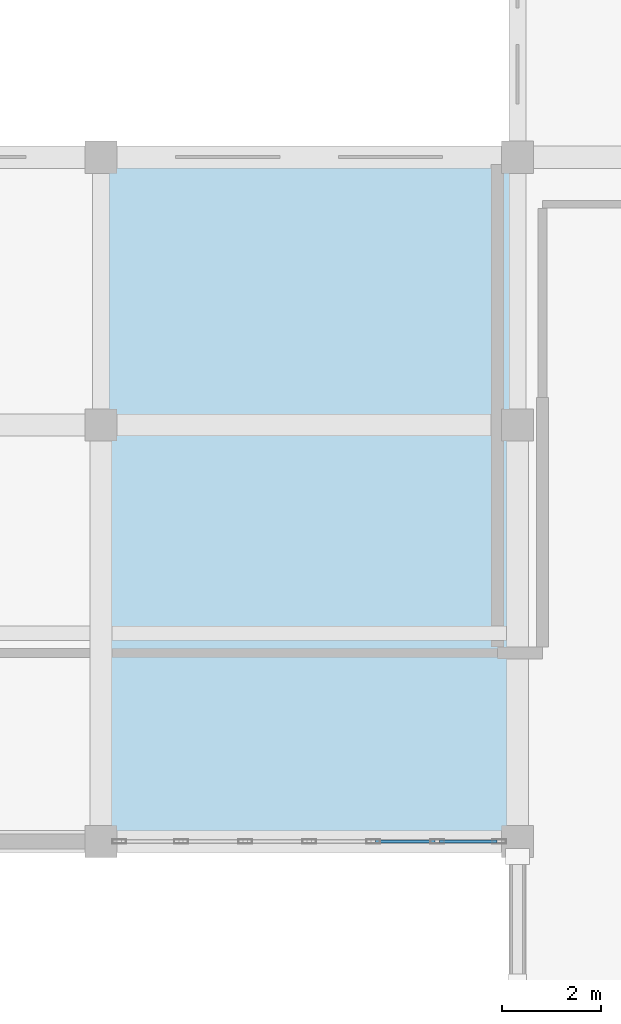
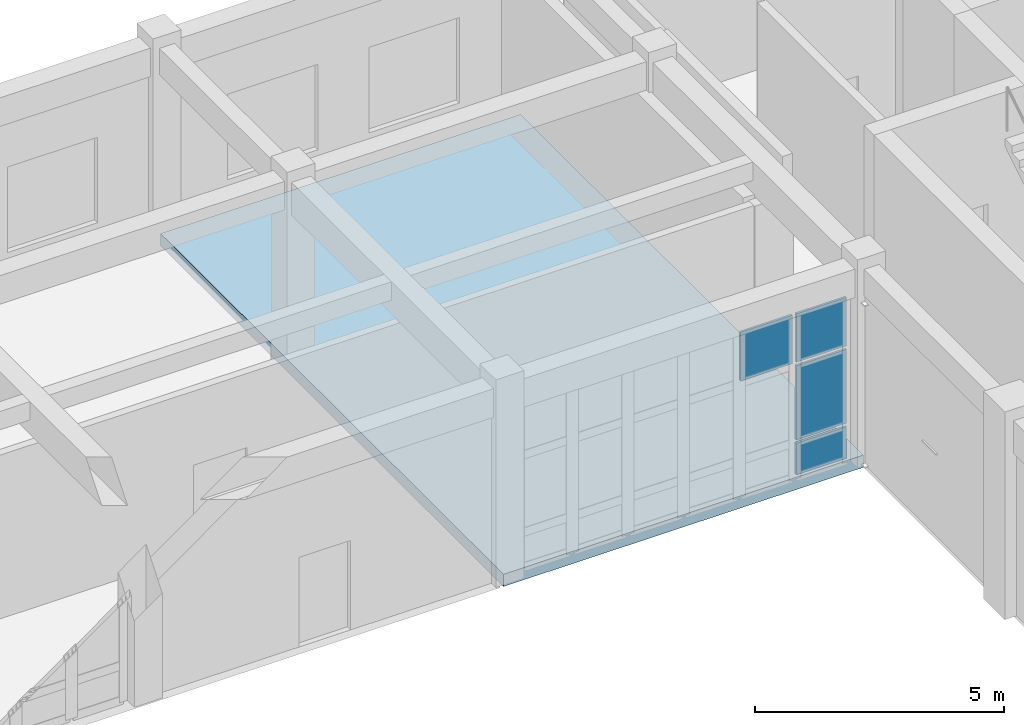
# One storey, part 49 of 80: 4 plates, 1 slab, 1 element without a shape of its own.
"""IFC4 building model written with IfcOpenShell, lengths in metres."""

from ifc_helpers import new_model, si_unit, direction, frame, origin, origin_2d, place, context, subcontext, project, spatial, polyline, rectangle, outline, extrude, material, layer, layer_set, type_object, element, aggregate, save


model = new_model("IFC4")

# Units and contexts
model_context = context("Model", 3, precision=1e-05, world=origin(), true_north=direction((0.0, 1.0)))
body_context = subcontext(model_context, "Body", "Model", "MODEL_VIEW")
ifc_project = project(units=[si_unit("LENGTHUNIT", "METRE"), si_unit("AREAUNIT", "SQUARE_METRE"), si_unit("VOLUMEUNIT", "CUBIC_METRE"), si_unit("PLANEANGLEUNIT", "RADIAN"), si_unit("MASSUNIT", "GRAM", prefix="KILO")], contexts=[model_context])

# Site, building, storey
site_placement = place(None, origin())
site = spatial("IfcSite", under=ifc_project, at=site_placement, CompositionType="ELEMENT")
building_placement = place(site_placement, origin())
building = spatial("IfcBuilding", under=site, at=building_placement, Name="Krzemoval Escarpment Law Courts", CompositionType="ELEMENT")
storey_placement = place(building_placement, origin())
storey = spatial("IfcBuildingStorey", under=building, at=storey_placement, Name="L00", CompositionType="ELEMENT", Elevation=0.0)

# Curtain wall, plates
ifc_material_1 = material(Name="Aluminium 6063-T6", Category="aluminium")
ifc_layer_1 = layer(ifc_material_1, 0.280029296875)
ifc_layer_set_1 = layer_set([ifc_layer_1], Name="Aluminium 6063-T6")
curtain_wall_type = type_object("IfcCurtainWallType", Name="CW-HALL-5100", PredefinedType="USERDEFINED", material=ifc_layer_set_1)
curtain_wall_placement = place(storey_placement, origin())
curtain_wall = element("IfcCurtainWall", 1, at=curtain_wall_placement, inside=storey, type_object=curtain_wall_type, Name="Unitised Curtain Wall FCW-L00-006", ObjectType="UNITISED_CURTAIN_WALL", PredefinedType="USERDEFINED")
ifc_material_2 = material(Name="Triple Glazing IGU", Category="glass")
ifc_layer_2 = layer(ifc_material_2, 0.053955078125)
ifc_layer_set_2 = layer_set([ifc_layer_2], Name="Triple Glazing IGU")
plate_type = type_object("IfcPlateType", Name="CWP-GLZ-54", PredefinedType="CURTAIN_PANEL", material=ifc_layer_set_2)
plate_1_placement = place(storey_placement, frame((125.0078125, 99.60009765625, 0.0849609375), z_axis=(0.0, 0.0, 1.0), x_axis=(-1.0, 0.0, 0.0)))
plate_1 = element("IfcPlate", 2, at=plate_1_placement, type_object=plate_type, Name="FCW-L00-006 panel 1.1", PredefinedType="CURTAIN_PANEL", context=body_context, shape_type="SweptSolid", body=[
    extrude(rectangle(XDim=1.1640625, YDim=0.053955078125, at=origin_2d()), origin(), (0.0, 0.0, 1.0), 0.7724609375),
])
plate_2_placement = place(storey_placement, frame((125.0078125, 99.60009765625, 0.942626953125), z_axis=(0.0, 0.0, 1.0), x_axis=(-1.0, 0.0, 0.0)))
plate_2 = element("IfcPlate", 3, at=plate_2_placement, type_object=plate_type, Name="FCW-L00-006 panel 1.2", PredefinedType="CURTAIN_PANEL", context=body_context, shape_type="SweptSolid", body=[
    extrude(rectangle(XDim=1.1640625, YDim=0.053955078125, at=origin_2d()), origin(), (0.0, 0.0, 1.0), 1.81494140625),
])
plate_3_placement = place(storey_placement, frame((125.0078125, 99.60009765625, 2.842529296875), z_axis=(0.0, 0.0, 1.0), x_axis=(-1.0, 0.0, 0.0)))
plate_3 = element("IfcPlate", 4, at=plate_3_placement, type_object=plate_type, Name="FCW-L00-006 panel 1.3", PredefinedType="CURTAIN_PANEL", context=body_context, shape_type="SweptSolid", body=[
    extrude(rectangle(XDim=1.1640625, YDim=0.053955078125, at=origin_2d()), origin(), (0.0, 0.0, 1.0), 1.1923828125),
])
plate_4_placement = place(storey_placement, frame((123.737548828125, 99.60009765625, 2.842529296875), z_axis=(0.0, 0.0, 1.0), x_axis=(-1.0, 0.0, 0.0)))
plate_4 = element("IfcPlate", 5, at=plate_4_placement, type_object=plate_type, Name="FCW-L00-006 panel 2.3", PredefinedType="CURTAIN_PANEL", context=body_context, shape_type="SweptSolid", body=[
    extrude(rectangle(XDim=1.206787109375, YDim=0.053955078125, at=origin_2d()), origin(), (0.0, 0.0, 1.0), 1.1923828125),
])
aggregate(curtain_wall, [plate_1, plate_2, plate_3, plate_4])

# Slab
ifc_material_3 = material(Name="Concrete C40/50", Category="concrete")
ifc_layer_3 = layer(ifc_material_3, 0.300048828125)
ifc_layer_set_3 = layer_set([ifc_layer_3], Name="Concrete C40/50")
slab_type = type_object("IfcSlabType", Name="SL-FLR-300", PredefinedType="FLOOR", material=ifc_layer_set_3)
slab_placement = place(storey_placement, frame((0.0, 0.0, -0.300048828125)))
element("IfcSlab", 6, at=slab_placement, inside=storey, type_object=slab_type, Name="Floor Slab SL-L00-V4-013", PredefinedType="FLOOR", context=body_context, shape_type="SweptSolid", body=[
    extrude(outline(polyline([(117.639892578125, 99.60009765625), (117.639892578125, 113.39990234375), (126.0, 113.39990234375), (126.0, 99.60009765625), (117.639892578125, 99.60009765625)])), origin(), (0.0, 0.0, 1.0), 0.300048828125),
])

save(model, "model.ifc")
